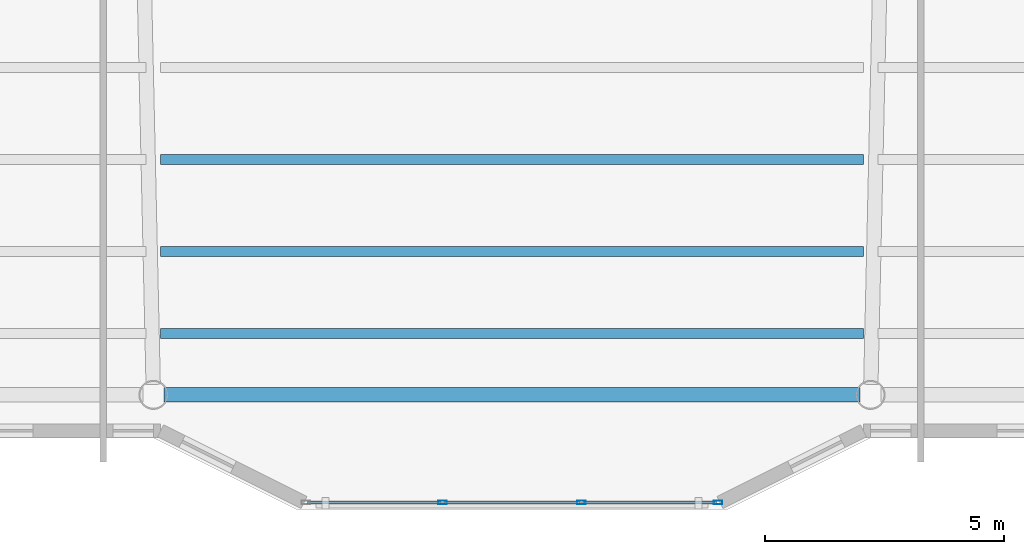
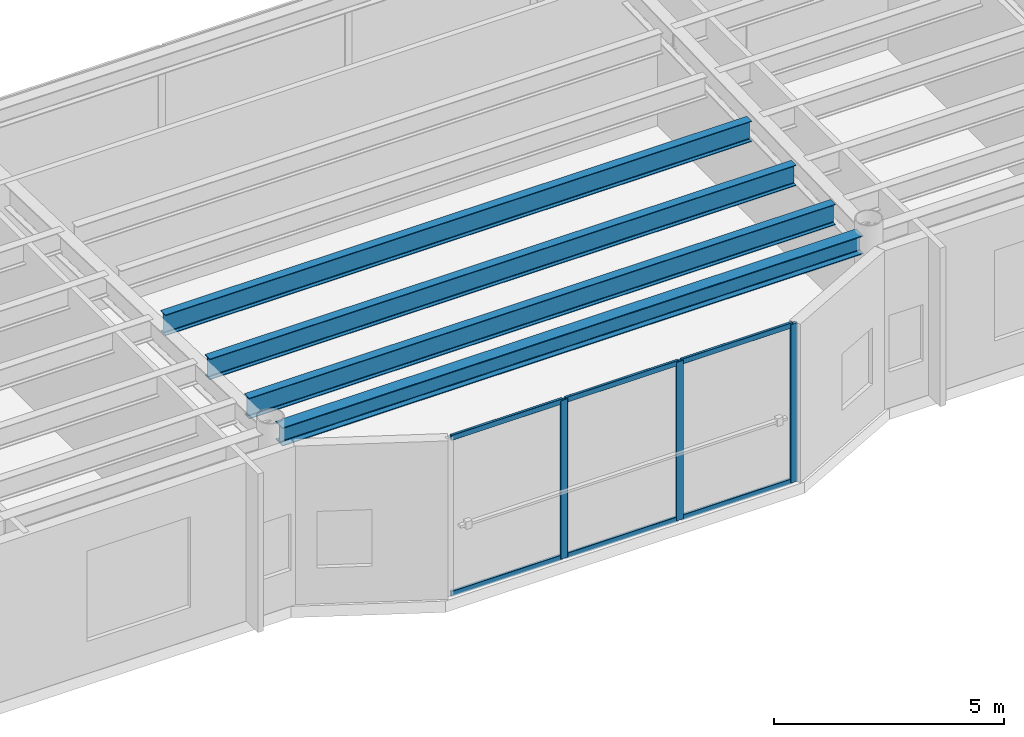
# One storey, part 5 of 37: 9 members, 4 beams, 1 element without a shape of its own.
"""IFC4 building model written with IfcOpenShell, lengths in metres."""

from ifc_helpers import new_model, si_unit, direction, frame, origin, origin_2d, place, context, subcontext, project, spatial, hollow_rectangle, i_section, extrude, material, layer, layer_set, material_profile, profile_set, type_object, element, aggregate, save


model = new_model("IFC4")

# Units and contexts
model_context = context("Model", 3, precision=1e-05, world=origin(), true_north=direction((0.0, 1.0)))
body_context = subcontext(model_context, "Body", "Model", "MODEL_VIEW")
ifc_project = project(units=[si_unit("LENGTHUNIT", "METRE"), si_unit("AREAUNIT", "SQUARE_METRE"), si_unit("VOLUMEUNIT", "CUBIC_METRE"), si_unit("PLANEANGLEUNIT", "RADIAN"), si_unit("MASSUNIT", "GRAM", prefix="KILO")], contexts=[model_context])

# Site, building, storey
site_placement = place(None, origin())
site = spatial("IfcSite", under=ifc_project, at=site_placement, CompositionType="ELEMENT")
building_placement = place(site_placement, origin())
building = spatial("IfcBuilding", under=site, at=building_placement, Name="Tarnavaz Court Tower", CompositionType="ELEMENT")
storey_placement = place(building_placement, frame((0.0, 0.0, 118.5)))
storey = spatial("IfcBuildingStorey", under=building, at=storey_placement, Name="L32", CompositionType="ELEMENT", Elevation=118.5)

# Beams
ifc_material_1 = material(Name="Steel S355", Category="steel")
ifc_material_profile_1 = material_profile(ifc_material_1, i_section(OverallWidth=0.2099609375, OverallDepth=0.550048828125, WebThickness=0.010986328125, FlangeThickness=0.01708984375, FilletRadius=0.02392578125, at=origin_2d()), Name="IPE 550")
ifc_profile_set_1 = profile_set([ifc_material_profile_1], Name="Steel S355")
beam_type_1 = type_object("IfcBeamType", Name="BM-J-IPE550", PredefinedType="JOIST", material=ifc_profile_set_1)
for number, where, z_axis, x_axis, name in (
    (1, (-7.35009765625, -16.3779296875, 3.925048828125), (1.0, 0.0, 0.0), (0.0, 1.0, 0.0), "L32 Beam JS3-2"),
    (2, (-7.35009765625, -18.303955078125, 3.925048828125), (1.0, 0.0, 0.0), (0.0, 1.0, 0.0), "L32 Beam JS4-2"),
    (3, (-7.35009765625, -20.01611328125, 3.925048828125), (1.0, 0.0, 0.0), (0.0, 1.0, 0.0), "L32 Beam JS5-2"),
):
    element("IfcBeam", number, at=place(storey_placement, frame(where, z_axis=z_axis, x_axis=x_axis)), inside=storey, type_object=beam_type_1, Name=name, PredefinedType="JOIST", context=body_context, shape_type="SweptSolid", body=[
        extrude(i_section(OverallWidth=0.2099609375, OverallDepth=0.550048828125, WebThickness=0.010986328125, FlangeThickness=0.01708984375, FilletRadius=0.02392578125, at=origin_2d()), origin(), (0.0, 0.0, 1.0), 14.7001953125),
    ])
ifc_material_profile_2 = material_profile(ifc_material_1, i_section(OverallWidth=0.300048828125, OverallDepth=0.489990234375, WebThickness=0.011962890625, FlangeThickness=0.02294921875, FilletRadius=0.027099609375, at=origin_2d()), Name="HEA 500")
ifc_profile_set_2 = profile_set([ifc_material_profile_2], Name="Steel S355")
beam_type_2 = type_object("IfcBeamType", Name="BM-SP-HEA500", PredefinedType="SPANDREL", material=ifc_profile_set_2)
beam_placement = place(storey_placement, frame((-7.280029296875, -21.300048828125, 3.955078125), z_axis=(1.0, 0.0, 0.0), x_axis=(0.0, 1.0, 0.0)))
element("IfcBeam", 4, at=beam_placement, inside=storey, type_object=beam_type_2, Name="L32 Beam PR-PS-2-PS-3", PredefinedType="SPANDREL", context=body_context, shape_type="SweptSolid", body=[
    extrude(i_section(OverallWidth=0.300048828125, OverallDepth=0.489990234375, WebThickness=0.011962890625, FlangeThickness=0.02294921875, FilletRadius=0.027099609375, at=origin_2d()), origin(), (0.0, 0.0, 1.0), 14.56005859375),
])

# Curtain wall, members
ifc_material_2 = material(Name="Anodised Aluminium 6063-T6 and Solar Low-E Glazing", Category="aluminium")
ifc_layer = layer(ifc_material_2, 0.179931640625)
ifc_layer_set = layer_set([ifc_layer], Name="Anodised Aluminium 6063-T6 and Solar Low-E Glazing")
curtain_wall_type = type_object("IfcCurtainWallType", Name="CW-SYS-02", PredefinedType="NOTDEFINED", material=ifc_layer_set)
curtain_wall_placement = place(storey_placement, origin())
curtain_wall = element("IfcCurtainWall", 5, at=curtain_wall_placement, inside=storey, type_object=curtain_wall_type, Name="L32 Iwan Prow Curtain Wall 17", PredefinedType="NOTDEFINED")
ifc_material_3 = material(Name="Anodised Aluminium 6063-T6", Category="aluminium")
ifc_material_profile_3 = material_profile(ifc_material_3, hollow_rectangle(XDim=0.074951171875, YDim=0.179931640625, WallThickness=0.0048828125, InnerFilletRadius=0.0048828125, OuterFilletRadius=0.010009765625, at=origin_2d()), Name="ALU RHS 180X75X5")
ifc_profile_set_3 = profile_set([ifc_material_profile_3], Name="Anodised Aluminium 6063-T6")
member_type_1 = type_object("IfcMemberType", Name="CW-MUL-180", PredefinedType="MULLION", material=ifc_profile_set_3)
member_1_placement = place(storey_placement, frame((4.3125, -23.550048828125, 0.0), z_axis=(0.0, 0.0, 1.0), x_axis=(0.0, -1.0, 0.0)))
member_1 = element("IfcMember", 6, at=member_1_placement, type_object=member_type_1, Name="CW mullion 1", PredefinedType="MULLION", context=body_context, shape_type="SweptSolid", body=[
    extrude(hollow_rectangle(XDim=0.074951171875, YDim=0.179931640625, WallThickness=0.0048828125, InnerFilletRadius=0.0048828125, OuterFilletRadius=0.010009765625, at=origin_2d()), origin(), (0.0, 0.0, 1.0), 4.199951171875),
])
member_2_placement = place(storey_placement, frame((1.449951171875, -23.550048828125, 0.0), z_axis=(0.0, 0.0, 1.0), x_axis=(0.0, -1.0, 0.0)))
member_2 = element("IfcMember", 7, at=member_2_placement, type_object=member_type_1, Name="CW mullion 2", PredefinedType="MULLION", context=body_context, shape_type="SweptSolid", body=[
    extrude(hollow_rectangle(XDim=0.074951171875, YDim=0.179931640625, WallThickness=0.0048828125, InnerFilletRadius=0.0048828125, OuterFilletRadius=0.010009765625, at=origin_2d()), origin(), (0.0, 0.0, 1.0), 4.199951171875),
])
member_3_placement = place(storey_placement, frame((-1.449951171875, -23.550048828125, 0.0), z_axis=(0.0, 0.0, 1.0), x_axis=(0.0, -1.0, 0.0)))
member_3 = element("IfcMember", 8, at=member_3_placement, type_object=member_type_1, Name="CW mullion 3", PredefinedType="MULLION", context=body_context, shape_type="SweptSolid", body=[
    extrude(hollow_rectangle(XDim=0.074951171875, YDim=0.179931640625, WallThickness=0.0048828125, InnerFilletRadius=0.0048828125, OuterFilletRadius=0.010009765625, at=origin_2d()), origin(), (0.0, 0.0, 1.0), 4.199951171875),
])
ifc_material_profile_4 = material_profile(ifc_material_3, hollow_rectangle(XDim=0.06494140625, YDim=0.139892578125, WallThickness=0.00390625, InnerFilletRadius=0.00390625, OuterFilletRadius=0.008056640625, at=origin_2d()), Name="ALU RHS 140X65X4")
ifc_profile_set_4 = profile_set([ifc_material_profile_4], Name="Anodised Aluminium 6063-T6")
member_type_2 = type_object("IfcMemberType", Name="CW-TRN-140", PredefinedType="USERDEFINED", material=ifc_profile_set_4)
member_4_placement = place(storey_placement, frame((4.27490234375, -23.550048828125, 0.032470703125), z_axis=(-1.0, 0.0, 0.0), x_axis=(0.0, -1.0, 0.0)))
member_4 = element("IfcMember", 9, at=member_4_placement, type_object=member_type_2, Name="CW transom 1.1", ObjectType="TRANSOM", PredefinedType="USERDEFINED", context=body_context, shape_type="SweptSolid", body=[
    extrude(hollow_rectangle(XDim=0.06494140625, YDim=0.139892578125, WallThickness=0.00390625, InnerFilletRadius=0.00390625, OuterFilletRadius=0.008056640625, at=origin_2d()), origin(), (0.0, 0.0, 1.0), 2.787353515625),
])
member_5_placement = place(storey_placement, frame((4.27490234375, -23.550048828125, 4.16748046875), z_axis=(-1.0, 0.0, 0.0), x_axis=(0.0, -1.0, 0.0)))
member_5 = element("IfcMember", 10, at=member_5_placement, type_object=member_type_2, Name="CW transom 1.2", ObjectType="TRANSOM", PredefinedType="USERDEFINED", context=body_context, shape_type="SweptSolid", body=[
    extrude(hollow_rectangle(XDim=0.06494140625, YDim=0.139892578125, WallThickness=0.00390625, InnerFilletRadius=0.00390625, OuterFilletRadius=0.008056640625, at=origin_2d()), origin(), (0.0, 0.0, 1.0), 2.787353515625),
])
member_6_placement = place(storey_placement, frame((1.41259765625, -23.550048828125, 0.032470703125), z_axis=(-1.0, 0.0, 0.0), x_axis=(0.0, -1.0, 0.0)))
member_6 = element("IfcMember", 11, at=member_6_placement, type_object=member_type_2, Name="CW transom 2.1", ObjectType="TRANSOM", PredefinedType="USERDEFINED", context=body_context, shape_type="SweptSolid", body=[
    extrude(hollow_rectangle(XDim=0.06494140625, YDim=0.139892578125, WallThickness=0.00390625, InnerFilletRadius=0.00390625, OuterFilletRadius=0.008056640625, at=origin_2d()), origin(), (0.0, 0.0, 1.0), 2.8251953125),
])
member_7_placement = place(storey_placement, frame((1.41259765625, -23.550048828125, 4.16748046875), z_axis=(-1.0, 0.0, 0.0), x_axis=(0.0, -1.0, 0.0)))
member_7 = element("IfcMember", 12, at=member_7_placement, type_object=member_type_2, Name="CW transom 2.2", ObjectType="TRANSOM", PredefinedType="USERDEFINED", context=body_context, shape_type="SweptSolid", body=[
    extrude(hollow_rectangle(XDim=0.06494140625, YDim=0.139892578125, WallThickness=0.00390625, InnerFilletRadius=0.00390625, OuterFilletRadius=0.008056640625, at=origin_2d()), origin(), (0.0, 0.0, 1.0), 2.8251953125),
])
member_8_placement = place(storey_placement, frame((-1.487548828125, -23.550048828125, 0.032470703125), z_axis=(-1.0, 0.0, 0.0), x_axis=(0.0, -1.0, 0.0)))
member_8 = element("IfcMember", 13, at=member_8_placement, type_object=member_type_2, Name="CW transom 3.1", ObjectType="TRANSOM", PredefinedType="USERDEFINED", context=body_context, shape_type="SweptSolid", body=[
    extrude(hollow_rectangle(XDim=0.06494140625, YDim=0.139892578125, WallThickness=0.00390625, InnerFilletRadius=0.00390625, OuterFilletRadius=0.008056640625, at=origin_2d()), origin(), (0.0, 0.0, 1.0), 2.787353515625),
])
member_9_placement = place(storey_placement, frame((-1.487548828125, -23.550048828125, 4.16748046875), z_axis=(-1.0, 0.0, 0.0), x_axis=(0.0, -1.0, 0.0)))
member_9 = element("IfcMember", 14, at=member_9_placement, type_object=member_type_2, Name="CW transom 3.2", ObjectType="TRANSOM", PredefinedType="USERDEFINED", context=body_context, shape_type="SweptSolid", body=[
    extrude(hollow_rectangle(XDim=0.06494140625, YDim=0.139892578125, WallThickness=0.00390625, InnerFilletRadius=0.00390625, OuterFilletRadius=0.008056640625, at=origin_2d()), origin(), (0.0, 0.0, 1.0), 2.787353515625),
])
aggregate(curtain_wall, [member_1, member_2, member_3, member_4, member_5, member_6, member_7, member_8, member_9])

save(model, "model.ifc")
